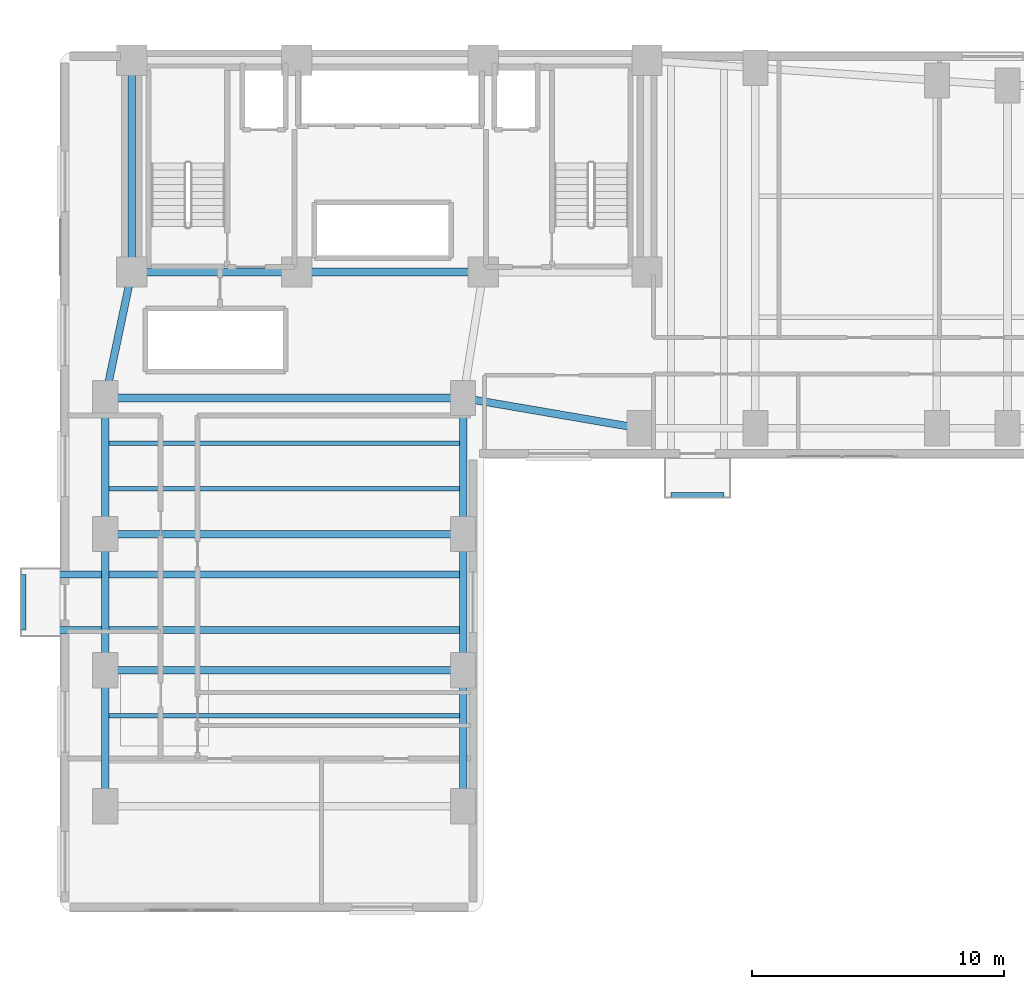
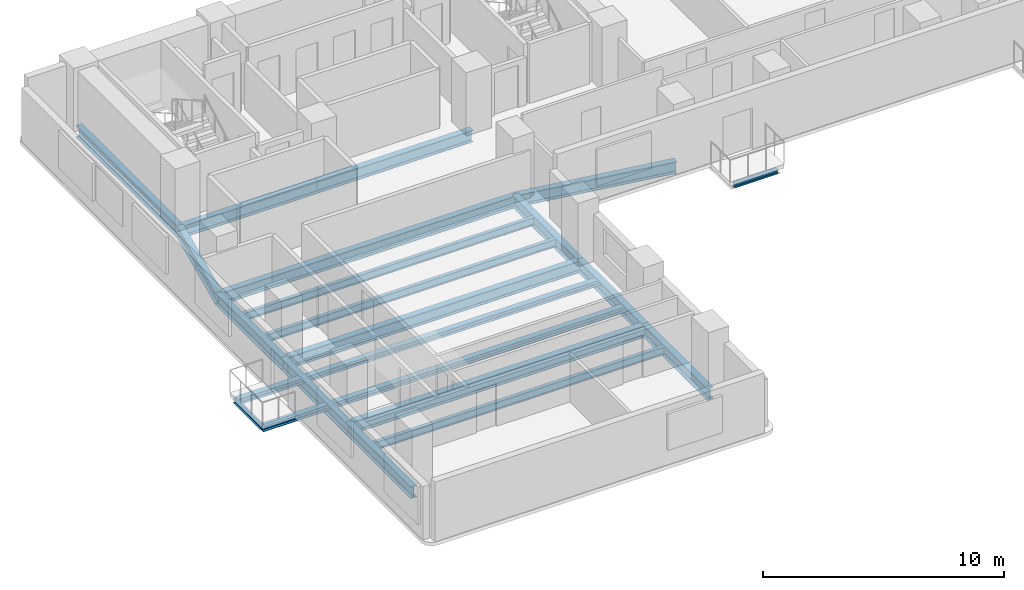
# One storey, part 3 of 17: 21 beams.
"""IFC4 building model written with IfcOpenShell, lengths in metres."""

from ifc_helpers import new_model, si_unit, direction, frame, origin, origin_2d, place, context, subcontext, project, spatial, i_section, extrude, material, material_profile, profile_set, type_object, element, save


model = new_model("IFC4")

# Units and contexts
model_context = context("Model", 3, precision=1e-05, world=origin(), true_north=direction((0.0, 1.0)))
body_context = subcontext(model_context, "Body", "Model", "MODEL_VIEW")
ifc_project = project(units=[si_unit("LENGTHUNIT", "METRE"), si_unit("AREAUNIT", "SQUARE_METRE"), si_unit("VOLUMEUNIT", "CUBIC_METRE"), si_unit("PLANEANGLEUNIT", "RADIAN"), si_unit("MASSUNIT", "GRAM", prefix="KILO")], contexts=[model_context])

# Site, building, storey
site_placement = place(None, origin())
site = spatial("IfcSite", under=ifc_project, at=site_placement, CompositionType="ELEMENT")
building_placement = place(site_placement, origin())
building = spatial("IfcBuilding", under=site, at=building_placement, Name="Kuzgunbayir Cultural Tower", CompositionType="ELEMENT")
storey_placement = place(building_placement, frame((0.0, 0.0, 46.800048828125)))
storey = spatial("IfcBuildingStorey", under=building, at=storey_placement, Name="L12", CompositionType="ELEMENT", Elevation=46.800048828125)

# Beams
ifc_material = material(Name="Steel S355J2", Category="steel")
ifc_material_profile_1 = material_profile(ifc_material, i_section(OverallWidth=0.280029296875, OverallDepth=0.280029296875, WebThickness=0.010498046875, FlangeThickness=0.01806640625, FilletRadius=0.02392578125, at=origin_2d()), Name="HEB 280")
ifc_profile_set_1 = profile_set([ifc_material_profile_1], Name="Steel S355J2")
beam_type_1 = type_object("IfcBeamType", Name="BM-BAL-HEB280", PredefinedType="BEAM", material=ifc_profile_set_1)
for number, where, z_axis, x_axis, name in (
    (1, (2.159912109375, 19.60009765625, -0.340087890625), (1.0, 0.0, 0.0), (0.0, 1.0, 0.0), "L12 Balcony Outrigger Beam BAL-L12-WA2.1"),
    (2, (2.159912109375, 21.800048828125, -0.340087890625), (1.0, 0.0, 0.0), (0.0, 1.0, 0.0), "L12 Balcony Outrigger Beam BAL-L12-WA2.2"),
):
    element("IfcBeam", number, at=place(storey_placement, frame(where, z_axis=z_axis, x_axis=x_axis)), inside=storey, type_object=beam_type_1, Name=name, PredefinedType="BEAM", context=body_context, shape_type="SweptSolid", body=[
        extrude(i_section(OverallWidth=0.280029296875, OverallDepth=0.280029296875, WebThickness=0.010498046875, FlangeThickness=0.01806640625, FilletRadius=0.02392578125, at=origin_2d()), origin(), (0.0, 0.0, 1.0), 17.440185546875),
    ])
ifc_material_profile_2 = material_profile(ifc_material, i_section(OverallWidth=0.199951171875, OverallDepth=0.199951171875, WebThickness=0.009033203125, FlangeThickness=0.014892578125, FilletRadius=0.01806640625, at=origin_2d()), Name="HEB 200")
ifc_profile_set_2 = profile_set([ifc_material_profile_2], Name="Steel S355J2")
beam_type_2 = type_object("IfcBeamType", Name="BM-CAN-HEB200", PredefinedType="BEAM", material=ifc_profile_set_2)
beam_1_placement = place(storey_placement, frame((2.159912109375, 19.60009765625, -0.300048828125), z_axis=(0.0, 1.0, 0.0), x_axis=(-1.0, 0.0, 0.0)))
element("IfcBeam", 3, at=beam_1_placement, inside=storey, type_object=beam_type_2, Name="L12 Balcony Edge Header BAL-L12-WA2", PredefinedType="BEAM", context=body_context, shape_type="SweptSolid", body=[
    extrude(i_section(OverallWidth=0.199951171875, OverallDepth=0.199951171875, WebThickness=0.009033203125, FlangeThickness=0.014892578125, FilletRadius=0.01806640625, at=origin_2d()), origin(), (0.0, 0.0, 1.0), 2.199951171875),
])
beam_2_placement = place(storey_placement, frame((27.85009765625, 24.9599609375, -0.300048828125), z_axis=(1.0, 0.0, 0.0), x_axis=(0.0, 1.0, 0.0)))
element("IfcBeam", 4, at=beam_2_placement, inside=storey, type_object=beam_type_2, Name="L12 Balcony Edge Header BAL-L12-WB1", PredefinedType="BEAM", context=body_context, shape_type="SweptSolid", body=[
    extrude(i_section(OverallWidth=0.199951171875, OverallDepth=0.199951171875, WebThickness=0.009033203125, FlangeThickness=0.014892578125, FilletRadius=0.01806640625, at=origin_2d()), origin(), (0.0, 0.0, 1.0), 2.099853515625),
])
ifc_material_profile_3 = material_profile(ifc_material, i_section(OverallWidth=0.300048828125, OverallDepth=0.60009765625, WebThickness=0.015380859375, FlangeThickness=0.030029296875, FilletRadius=0.027099609375, at=origin_2d()), Name="HEB 600")
ifc_profile_set_3 = profile_set([ifc_material_profile_3], Name="Steel S355J2")
beam_type_3 = type_object("IfcBeamType", Name="BM-EXT-HEB600", PredefinedType="BEAM", material=ifc_profile_set_3)
for number, where, z_axis, x_axis, name in (
    (5, (5.39990234375, 12.60009765625, -0.47998046875), (0.0, 1.0, 0.0), (-1.0, 0.0, 0.0), "L12 Wing A West Girder 1"),
    (6, (19.60009765625, 12.60009765625, -0.47998046875), (0.0, 1.0, 0.0), (-1.0, 0.0, 0.0), "L12 Wing A East Girder 1"),
    (7, (5.39990234375, 18.0, -0.47998046875), (0.0, 1.0, 0.0), (-1.0, 0.0, 0.0), "L12 Wing A West Girder 2"),
    (8, (19.60009765625, 18.0, -0.47998046875), (0.0, 1.0, 0.0), (-1.0, 0.0, 0.0), "L12 Wing A East Girder 2"),
):
    element("IfcBeam", number, at=place(storey_placement, frame(where, z_axis=z_axis, x_axis=x_axis)), inside=storey, type_object=beam_type_3, Name=name, PredefinedType="BEAM", context=body_context, shape_type="SweptSolid", body=[
        extrude(i_section(OverallWidth=0.300048828125, OverallDepth=0.60009765625, WebThickness=0.015380859375, FlangeThickness=0.030029296875, FilletRadius=0.027099609375, at=origin_2d()), origin(), (0.0, 0.0, 1.0), 5.39990234375),
    ])
for number, where, z_axis, x_axis, name in (
    (9, (5.39990234375, 23.39990234375, -0.47998046875), (0.0, 1.0, 0.0), (-1.0, 0.0, 0.0), "L12 Wing A West Girder 3"),
    (10, (19.60009765625, 23.39990234375, -0.47998046875), (0.0, 1.0, 0.0), (-1.0, 0.0, 0.0), "L12 Wing A East Girder 3"),
):
    element("IfcBeam", number, at=place(storey_placement, frame(where, z_axis=z_axis, x_axis=x_axis)), inside=storey, type_object=beam_type_3, Name=name, PredefinedType="BEAM", context=body_context, shape_type="SweptSolid", body=[
        extrude(i_section(OverallWidth=0.300048828125, OverallDepth=0.60009765625, WebThickness=0.015380859375, FlangeThickness=0.030029296875, FilletRadius=0.027099609375, at=origin_2d()), origin(), (0.0, 0.0, 1.0), 5.400146484375),
    ])
ifc_material_profile_4 = material_profile(ifc_material, i_section(OverallWidth=0.300048828125, OverallDepth=0.60009765625, WebThickness=0.015380859375, FlangeThickness=0.030029296875, FilletRadius=0.027099609375, at=origin_2d()), Name="HEB 600")
ifc_profile_set_4 = profile_set([ifc_material_profile_4], Name="Steel S355J2")
beam_type_4 = type_object("IfcBeamType", Name="BM-GIR-HEB600", PredefinedType="BEAM", material=ifc_profile_set_4)
beam_3_placement = place(storey_placement, frame((6.449951171875, 33.800048828125, -0.47998046875), z_axis=(1.0, 0.0, 0.0), x_axis=(0.0, 1.0, 0.0)))
element("IfcBeam", 11, at=beam_3_placement, inside=storey, type_object=beam_type_4, Name="L12 Core South Girder 1", PredefinedType="BEAM", context=body_context, shape_type="SweptSolid", body=[
    extrude(i_section(OverallWidth=0.300048828125, OverallDepth=0.60009765625, WebThickness=0.015380859375, FlangeThickness=0.030029296875, FilletRadius=0.027099609375, at=origin_2d()), origin(), (0.0, 0.0, 1.0), 6.550048828125),
])
beam_4_placement = place(storey_placement, frame((13.0, 33.800048828125, -0.47998046875), z_axis=(1.0, 0.0, 0.0), x_axis=(0.0, 1.0, 0.0)))
element("IfcBeam", 12, at=beam_4_placement, inside=storey, type_object=beam_type_4, Name="L12 Core South Girder 2", PredefinedType="BEAM", context=body_context, shape_type="SweptSolid", body=[
    extrude(i_section(OverallWidth=0.300048828125, OverallDepth=0.60009765625, WebThickness=0.015380859375, FlangeThickness=0.030029296875, FilletRadius=0.027099609375, at=origin_2d()), origin(), (0.0, 0.0, 1.0), 7.39990234375),
])
beam_5_placement = place(storey_placement, frame((6.449951171875, 33.800048828125, -0.47998046875), z_axis=(0.0, 1.0, 0.0), x_axis=(-1.0, 0.0, 0.0)))
element("IfcBeam", 13, at=beam_5_placement, inside=storey, type_object=beam_type_4, Name="L12 Core West Edge Girder", PredefinedType="BEAM", context=body_context, shape_type="SweptSolid", body=[
    extrude(i_section(OverallWidth=0.300048828125, OverallDepth=0.60009765625, WebThickness=0.015380859375, FlangeThickness=0.030029296875, FilletRadius=0.027099609375, at=origin_2d()), origin(), (0.0, 0.0, 1.0), 8.39990234375),
])
for number, where, z_axis, x_axis, name in (
    (14, (5.39990234375, 18.0, -0.47998046875), (1.0, 0.0, 0.0), (0.0, 1.0, 0.0), "L12 Wing A Transverse Girder 2"),
    (15, (5.39990234375, 23.39990234375, -0.47998046875), (1.0, 0.0, 0.0), (0.0, 1.0, 0.0), "L12 Wing A Transverse Girder 3"),
    (16, (5.39990234375, 28.800048828125, -0.47998046875), (1.0, 0.0, 0.0), (0.0, 1.0, 0.0), "L12 Wing A Transverse Girder 4"),
):
    element("IfcBeam", number, at=place(storey_placement, frame(where, z_axis=z_axis, x_axis=x_axis)), inside=storey, type_object=beam_type_4, Name=name, PredefinedType="BEAM", context=body_context, shape_type="SweptSolid", body=[
        extrude(i_section(OverallWidth=0.300048828125, OverallDepth=0.60009765625, WebThickness=0.015380859375, FlangeThickness=0.030029296875, FilletRadius=0.027099609375, at=origin_2d()), origin(), (0.0, 0.0, 1.0), 14.2001953125),
    ])
beam_6_placement = place(storey_placement, frame((5.39990234375, 28.800048828125, -0.47998046875), z_axis=(0.205526387753, 0.978651574329, 0.0), x_axis=(-0.978651574329, 0.205526387753, 0.0)))
element("IfcBeam", 17, at=beam_6_placement, inside=storey, type_object=beam_type_4, Name="L12 Wing A West Core Floor Girder", PredefinedType="BEAM", context=body_context, shape_type="SweptSolid", body=[
    extrude(i_section(OverallWidth=0.300048828125, OverallDepth=0.60009765625, WebThickness=0.015380859375, FlangeThickness=0.030029296875, FilletRadius=0.027099609375, at=origin_2d()), origin(), (0.0, 0.0, 1.0), 5.109130859375),
])
beam_7_placement = place(storey_placement, frame((19.60009765625, 28.800048828125, -0.47998046875), z_axis=(0.985623399742, -0.168957136221, 0.0), x_axis=(0.168957136221, 0.985623399742, 0.0)))
element("IfcBeam", 18, at=beam_7_placement, inside=storey, type_object=beam_type_4, Name="L12 Wing B Waist Tie Girder", PredefinedType="BEAM", context=body_context, shape_type="SweptSolid", body=[
    extrude(i_section(OverallWidth=0.300048828125, OverallDepth=0.60009765625, WebThickness=0.015380859375, FlangeThickness=0.030029296875, FilletRadius=0.027099609375, at=origin_2d()), origin(), (0.0, 0.0, 1.0), 7.10205078125),
])
ifc_material_profile_5 = material_profile(ifc_material, i_section(OverallWidth=0.179931640625, OverallDepth=0.39990234375, WebThickness=0.008544921875, FlangeThickness=0.013427734375, FilletRadius=0.02099609375, at=origin_2d()), Name="IPE 400")
ifc_profile_set_5 = profile_set([ifc_material_profile_5], Name="Steel S355J2")
beam_type_5 = type_object("IfcBeamType", Name="BM-JST-IPE400", PredefinedType="JOIST", material=ifc_profile_set_5)
for number, where, z_axis, x_axis, name in (
    (19, (5.550048828125, 16.199951171875, -0.380126953125), (1.0, 0.0, 0.0), (0.0, 1.0, 0.0), "L12 Wing A Secondary Joist 2"),
    (20, (5.550048828125, 25.199951171875, -0.380126953125), (1.0, 0.0, 0.0), (0.0, 1.0, 0.0), "L12 Wing A Secondary Joist 5"),
    (21, (5.550048828125, 27.0, -0.380126953125), (1.0, 0.0, 0.0), (0.0, 1.0, 0.0), "L12 Wing A Secondary Joist 6"),
):
    element("IfcBeam", number, at=place(storey_placement, frame(where, z_axis=z_axis, x_axis=x_axis)), inside=storey, type_object=beam_type_5, Name=name, PredefinedType="JOIST", context=body_context, shape_type="SweptSolid", body=[
        extrude(i_section(OverallWidth=0.179931640625, OverallDepth=0.39990234375, WebThickness=0.008544921875, FlangeThickness=0.013427734375, FilletRadius=0.02099609375, at=origin_2d()), origin(), (0.0, 0.0, 1.0), 13.89990234375),
    ])

save(model, "model.ifc")
